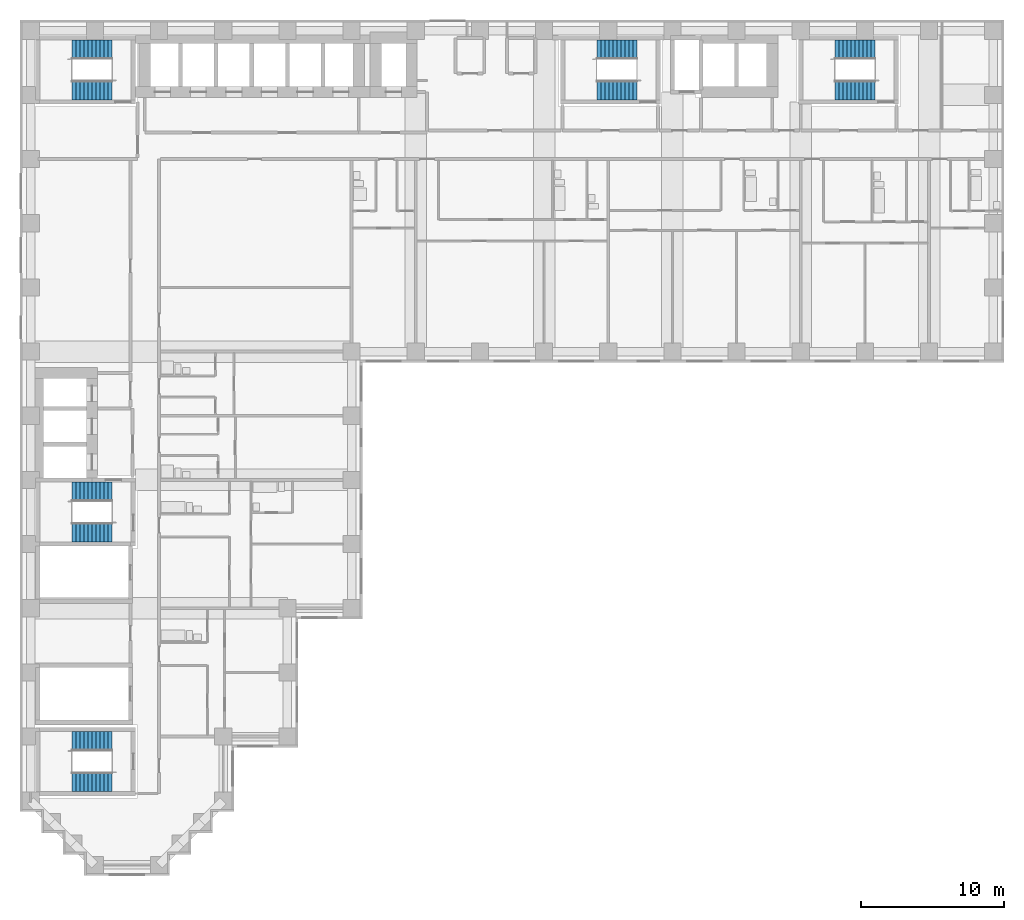
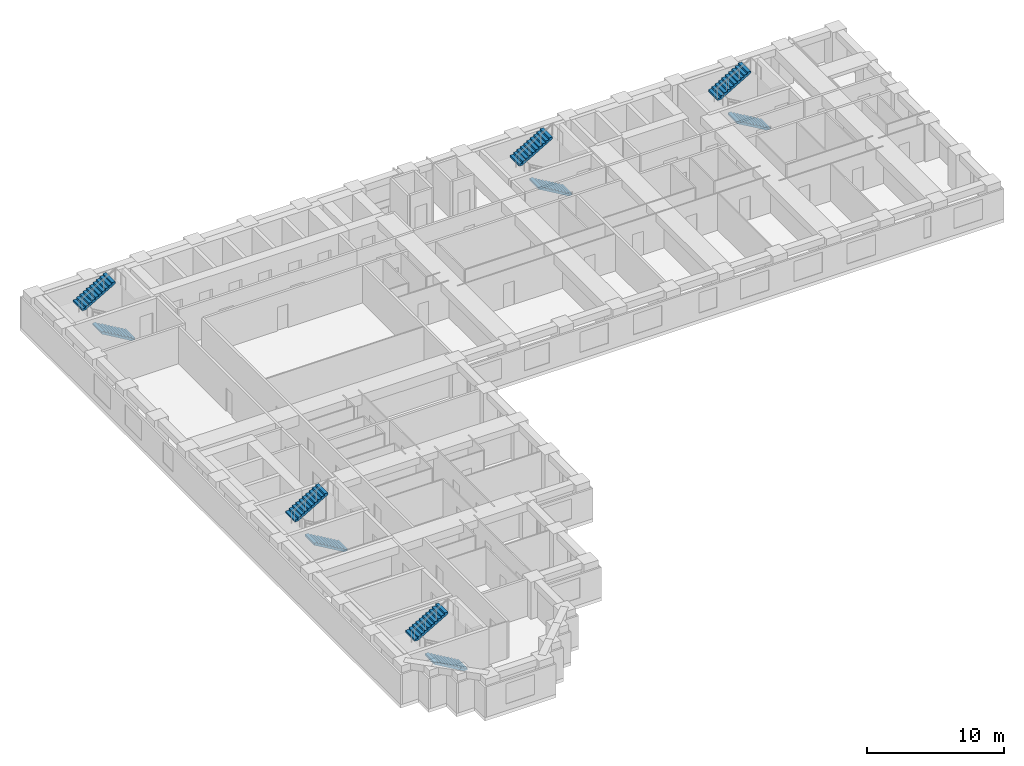
# One storey, part 9 of 11: 10 stair flights, 5 elements without a shape of their own.
"""IFC4 building model written with IfcOpenShell, lengths in metres."""

import ifcopenshell
import ifcopenshell.guid

model = None  # the IFC model being written
_history = None  # IfcOwnerHistory: only IFC2X3 demands one
_inside = {}  # id of a spatial element -> (the spatial element, [elements in it])
_under = {}  # id of a project, library or spatial element -> (it, [spatial elements below it])
_declared = {}  # id of a project -> (the project, [libraries it declares])
_typed = {}  # id of a type object -> (the type object, [elements of that type])
_made_of = {}  # id of a material, layer set ... -> (it, [elements and type objects made of it])


def new_model(schema):
    """Start an empty IFC model of exactly this schema.

    Asked for "IFC4X3", IfcOpenShell would pick the latest addendum, in which some entities
    have other attributes; the version numbers below select the first issue.
    IFC2X3 requires an IfcOwnerHistory on every rooted entity: one is made here for all.
    """
    global model, _history
    if schema == "IFC4X3":
        model = ifcopenshell.file(schema_version=(4, 3, 0, 0))
    else:
        model = ifcopenshell.file(schema=schema)
    _inside.clear()
    _under.clear()
    _declared.clear()
    _typed.clear()
    _made_of.clear()
    _history = None
    if model.schema == "IFC2X3":
        org = make("IfcOrganization", Name="unknown")
        user = make(
            "IfcPersonAndOrganization",
            ThePerson=make("IfcPerson", FamilyName="unknown"),
            TheOrganization=org,
        )
        app = make(
            "IfcApplication",
            ApplicationDeveloper=org,
            Version="unknown",
            ApplicationFullName="unknown",
            ApplicationIdentifier="unknown",
        )
        _history = make(
            "IfcOwnerHistory",
            OwningUser=user,
            OwningApplication=app,
            ChangeAction="ADDED",
            CreationDate=0,
        )
    return model


def make(cls, **values):
    """One entity of the class cls with the attributes given. An attribute that is None is left unset."""
    return model.create_entity(
        cls, **{name: value for name, value in values.items() if value is not None}
    )


def rooted(cls, **values):
    """An entity with a GlobalId (a new one), such as an element, a storey or a relation."""
    return make(cls, GlobalId=ifcopenshell.guid.new(), OwnerHistory=_history, **values)


def si_unit(unit_type, name, prefix=None):
    """IfcSIUnit, for example si_unit("LENGTHUNIT", "METRE", prefix="MILLI")."""
    return make("IfcSIUnit", UnitType=unit_type, Prefix=prefix, Name=name)


def assignment(units):
    """IfcUnitAssignment: the units of a project."""
    return None if units is None else make("IfcUnitAssignment", Units=units)


def point(xyz):
    """IfcCartesianPoint."""
    return None if xyz is None else make("IfcCartesianPoint", Coordinates=xyz)


def direction(xyz):
    """IfcDirection."""
    return None if xyz is None else make("IfcDirection", DirectionRatios=xyz)


def frame(location, z_axis=None, x_axis=None):
    """IfcAxis2Placement3D, a coordinate frame: its origin and axes. An axis left out is left unset."""
    return make(
        "IfcAxis2Placement3D",
        Location=point(location),
        Axis=direction(z_axis),
        RefDirection=direction(x_axis),
    )


def origin():
    """The frame at (0, 0, 0) with its axes left unset."""
    return frame((0.0, 0.0, 0.0))


def place(relative_to, where):
    """IfcLocalPlacement: puts the frame where relative to a parent placement (None: the world)."""
    return make(
        "IfcLocalPlacement", PlacementRelTo=relative_to, RelativePlacement=where
    )


def context(
    kind, dimensions, precision=None, world=None, true_north=None, identifier=None
):
    """IfcGeometricRepresentationContext, for example the 3D "Model" context."""
    return make(
        "IfcGeometricRepresentationContext",
        ContextIdentifier=identifier,
        ContextType=kind,
        CoordinateSpaceDimension=dimensions,
        Precision=precision,
        WorldCoordinateSystem=world,
        TrueNorth=true_north,
    )


def subcontext(parent, identifier, kind, view, scale=None):
    """IfcGeometricRepresentationSubContext, for example "Body" below "Model"."""
    return make(
        "IfcGeometricRepresentationSubContext",
        ContextIdentifier=identifier,
        ContextType=kind,
        ParentContext=parent,
        TargetScale=scale,
        TargetView=view,
    )


def project(units=None, contexts=None):
    """IfcProject with its units and contexts."""
    return rooted(
        "IfcProject",
        Name="project",
        RepresentationContexts=contexts,
        UnitsInContext=assignment(units),
    )


def spatial(cls, under=None, at=None, **own):
    """A site, building, storey or space (cls), placed at a placement, below another one or the project."""
    s = rooted(cls, ObjectPlacement=at, **own)
    if under is not None:
        _under.setdefault(under.id(), (under, []))[1].append(s)
    return s


def polyline(points):
    """IfcPolyline through the points."""
    return make("IfcPolyline", Points=[point(p) for p in points])


def outline(outer, holes=None, kind="AREA"):
    """IfcArbitraryClosedProfileDef: a profile drawn as a closed curve; with holes, ...WithVoids."""
    if holes is None:
        return make("IfcArbitraryClosedProfileDef", ProfileType=kind, OuterCurve=outer)
    return make(
        "IfcArbitraryProfileDefWithVoids",
        ProfileType=kind,
        OuterCurve=outer,
        InnerCurves=holes,
    )


def extrude(swept, where, along, depth):
    """IfcExtrudedAreaSolid: the profile swept, set in the frame where, extruded along a direction by depth."""
    return make(
        "IfcExtrudedAreaSolid",
        SweptArea=swept,
        Position=where,
        ExtrudedDirection=direction(along),
        Depth=depth,
    )


def shape(context_of_items, identifier, shape_type, items):
    """IfcShapeRepresentation: the items that make up one representation, for example the "Body"."""
    return make(
        "IfcShapeRepresentation",
        ContextOfItems=context_of_items,
        RepresentationIdentifier=identifier,
        RepresentationType=shape_type,
        Items=items,
    )


def material(Name=None, Category=None):
    """IfcMaterial."""
    return make("IfcMaterial", Name=Name, Category=Category)


def made_of(thing, what):
    """Note that an element or type object is made of a material, layer set ...; save() writes the relation."""
    if what is not None:
        _made_of.setdefault(what.id(), (what, []))[1].append(thing)
    return thing


def type_object(cls, material=None, **own):
    """A type object (cls), such as IfcWallType, which elements share."""
    return made_of(rooted(cls, **own), material)


def element(
    cls,
    number,
    at=None,
    inside=None,
    cuts=None,
    type_object=None,
    material=None,
    context=None,
    identifier="Body",
    shape_type=None,
    held_by="IfcProductDefinitionShape",
    body=None,
    shapes=None,
    **own,
):
    """One element of the class cls, such as IfcWall. Its Tag is "e" and its number.

    at: its placement. inside: the storey or other place that contains it. cuts: it is an
    opening in that element (IfcRelVoidsElement). A single representation is given by context,
    identifier, shape_type and body (its items); several are given by shapes. held_by: the class
    of the entity that holds the representations. save() writes the other relations.
    """
    e = rooted(cls, Tag="e%d" % number, ObjectPlacement=at, **own)
    if body is not None:
        shapes = [shape(context, identifier, shape_type, body)]
    if shapes is not None:
        e.Representation = make(held_by, Representations=shapes)
    if inside is not None:
        _inside.setdefault(inside.id(), (inside, []))[1].append(e)
    if cuts is not None:
        rooted(
            "IfcRelVoidsElement", RelatingBuildingElement=cuts, RelatedOpeningElement=e
        )
    if type_object is not None:
        _typed.setdefault(type_object.id(), (type_object, []))[1].append(e)
    return made_of(e, material)


def aggregate(whole, parts):
    """IfcRelAggregates: a whole, such as a stair, and the parts it consists of."""
    return rooted("IfcRelAggregates", RelatingObject=whole, RelatedObjects=parts)


def save(model, path):
    """Write the relations noted so far, then the file.

    IfcRelAggregates (storeys below a building ...), IfcRelContainedInSpatialStructure (elements
    in a storey), IfcRelDefinesByType, IfcRelAssociatesMaterial and IfcRelDeclares: one each for
    every whole, place, type object, material and project.
    """
    for whole, parts in _under.values():
        aggregate(whole, parts)
    for where, things in _inside.values():
        rooted(
            "IfcRelContainedInSpatialStructure",
            RelatedElements=things,
            RelatingStructure=where,
        )
    for kind, things in _typed.values():
        rooted("IfcRelDefinesByType", RelatedObjects=things, RelatingType=kind)
    for what, things in _made_of.values():
        rooted("IfcRelAssociatesMaterial", RelatedObjects=things, RelatingMaterial=what)
    for by, libraries in _declared.values():
        rooted("IfcRelDeclares", RelatingContext=by, RelatedDefinitions=libraries)
    model.write(path)


model = new_model("IFC4")

# Units and contexts
model_context = context("Model", 3, precision=1e-05, world=origin(), true_north=direction((0.0, 1.0)))
body_context = subcontext(model_context, "Body", "Model", "MODEL_VIEW")
ifc_project = project(units=[si_unit("LENGTHUNIT", "METRE"), si_unit("AREAUNIT", "SQUARE_METRE"), si_unit("VOLUMEUNIT", "CUBIC_METRE"), si_unit("PLANEANGLEUNIT", "RADIAN"), si_unit("MASSUNIT", "GRAM", prefix="KILO")], contexts=[model_context])

# Site, building, storey
site_placement = place(None, origin())
site = spatial("IfcSite", under=ifc_project, at=site_placement, CompositionType="ELEMENT")
building_placement = place(site_placement, origin())
building = spatial("IfcBuilding", under=site, at=building_placement, Name="Firuza Court", CompositionType="ELEMENT")
storey_placement = place(building_placement, frame((0.0, 0.0, 61.39990234375)))
storey = spatial("IfcBuildingStorey", under=building, at=storey_placement, Name="L14", CompositionType="ELEMENT", Elevation=61.39990234375)

# Stair, stair flights
ifc_material_1 = material(Name="Concrete C40/50 precast", Category="concrete")
stair_type = type_object("IfcStairType", Name="Stair 1350 x 3600 2 flights", PredefinedType="HALF_TURN_STAIR", material=ifc_material_1)
stair_1_placement = place(storey_placement, origin())
stair_1 = element("IfcStair", 1, at=stair_1_placement, inside=storey, type_object=stair_type, Name="Stair 1 L14", PredefinedType="HALF_TURN_STAIR")
ifc_material_2 = material(Name="Concrete C40/50 precast", Category="concrete")
stair_flight_type = type_object("IfcStairFlightType", Name="Flight 1350 riser 163.6", PredefinedType="STRAIGHT", material=ifc_material_2)
stair_flight_1_placement = place(storey_placement, frame((42.5, 54.324951171875, 0.0), z_axis=(0.0, 0.0, 1.0), x_axis=(-1.0, 0.0, 0.0)))
stair_flight_1 = element("IfcStairFlight", 2, at=stair_flight_1_placement, type_object=stair_flight_type, Name="S1 flight 1", NumberOfRisers=11, NumberOfTreads=10, PredefinedType="STRAIGHT", RiserHeight=0.163636364, TreadLength=0.28, context=body_context, shape_type="SweptSolid", body=[
    extrude(outline(polyline([(0.0, 0.0), (0.0, 0.16357421875), (0.280029296875, 0.16357421875), (0.280029296875, 0.327392578125), (0.56005859375, 0.327392578125), (0.56005859375, 0.490966796875), (0.840087890625, 0.490966796875), (0.840087890625, 0.654541015625), (1.1201171875, 0.654541015625), (1.1201171875, 0.818115234375), (1.39990234375, 0.818115234375), (1.39990234375, 0.98193359375), (1.679931640625, 0.98193359375), (1.679931640625, 1.1455078125), (1.9599609375, 1.1455078125), (1.9599609375, 1.30908203125), (2.239990234375, 1.30908203125), (2.239990234375, 1.47265625), (2.52001953125, 1.47265625), (2.52001953125, 1.636474609375), (2.800048828125, 1.636474609375), (2.800048828125, 1.800048828125), (2.800048828125, 1.462646484375), (0.297119140625, 0.0), (0.0, 0.0)])), frame((0.0, 0.675048828125, 0.0), z_axis=(0.0, -1.0, 0.0), x_axis=(1.0, 0.0, 0.0)), (0.0, 0.0, 1.0), 1.35009765625),
])
stair_flight_2_placement = place(storey_placement, frame((39.699951171875, 57.175048828125, 1.800048828125), z_axis=(0.0, 0.0, 1.0), x_axis=(1.0, 0.0, 0.0)))
stair_flight_2 = element("IfcStairFlight", 3, at=stair_flight_2_placement, type_object=stair_flight_type, Name="S1 flight 2", NumberOfRisers=11, NumberOfTreads=10, PredefinedType="STRAIGHT", RiserHeight=0.163636364, TreadLength=0.28, context=body_context, shape_type="SweptSolid", body=[
    extrude(outline(polyline([(0.0, 0.0), (0.0, 0.16357421875), (0.280029296875, 0.16357421875), (0.280029296875, 0.327392578125), (0.56005859375, 0.327392578125), (0.56005859375, 0.490966796875), (0.840087890625, 0.490966796875), (0.840087890625, 0.654541015625), (1.1201171875, 0.654541015625), (1.1201171875, 0.818115234375), (1.39990234375, 0.818115234375), (1.39990234375, 0.98193359375), (1.679931640625, 0.98193359375), (1.679931640625, 1.1455078125), (1.9599609375, 1.1455078125), (1.9599609375, 1.30908203125), (2.239990234375, 1.30908203125), (2.239990234375, 1.47265625), (2.52001953125, 1.47265625), (2.52001953125, 1.636474609375), (2.800048828125, 1.636474609375), (2.800048828125, 1.800048828125), (2.800048828125, 1.462646484375), (0.297119140625, 0.0), (0.0, 0.0)])), frame((0.0, 0.675048828125, 0.0), z_axis=(0.0, -1.0, 0.0), x_axis=(1.0, 0.0, 0.0)), (0.0, 0.0, 1.0), 1.35009765625),
])
aggregate(stair_1, [stair_flight_1, stair_flight_2])

stair_2_placement = place(storey_placement, origin())
stair_2 = element("IfcStair", 4, at=stair_2_placement, inside=storey, type_object=stair_type, Name="Stair 2 L14", PredefinedType="HALF_TURN_STAIR")
stair_flight_3_placement = place(storey_placement, frame((5.699951171875, 23.324951171875, 0.0), z_axis=(0.0, 0.0, 1.0), x_axis=(-1.0, 0.0, 0.0)))
stair_flight_3 = element("IfcStairFlight", 5, at=stair_flight_3_placement, type_object=stair_flight_type, Name="S2 flight 1", NumberOfRisers=11, NumberOfTreads=10, PredefinedType="STRAIGHT", RiserHeight=0.163636364, TreadLength=0.28, context=body_context, shape_type="SweptSolid", body=[
    extrude(outline(polyline([(0.0, 0.0), (0.0, 0.16357421875), (0.280029296875, 0.16357421875), (0.280029296875, 0.327392578125), (0.56005859375, 0.327392578125), (0.56005859375, 0.490966796875), (0.840087890625, 0.490966796875), (0.840087890625, 0.654541015625), (1.1201171875, 0.654541015625), (1.1201171875, 0.818115234375), (1.39990234375, 0.818115234375), (1.39990234375, 0.98193359375), (1.679931640625, 0.98193359375), (1.679931640625, 1.1455078125), (1.9599609375, 1.1455078125), (1.9599609375, 1.30908203125), (2.239990234375, 1.30908203125), (2.239990234375, 1.47265625), (2.52001953125, 1.47265625), (2.52001953125, 1.636474609375), (2.800048828125, 1.636474609375), (2.800048828125, 1.800048828125), (2.800048828125, 1.462646484375), (0.297119140625, 0.0), (0.0, 0.0)])), frame((0.0, 0.675048828125, 0.0), z_axis=(0.0, -1.0, 0.0), x_axis=(1.0, 0.0, 0.0)), (0.0, 0.0, 1.0), 1.35009765625),
])
stair_flight_4_placement = place(storey_placement, frame((2.89990234375, 26.175048828125, 1.800048828125), z_axis=(0.0, 0.0, 1.0), x_axis=(1.0, 0.0, 0.0)))
stair_flight_4 = element("IfcStairFlight", 6, at=stair_flight_4_placement, type_object=stair_flight_type, Name="S2 flight 2", NumberOfRisers=11, NumberOfTreads=10, PredefinedType="STRAIGHT", RiserHeight=0.163636364, TreadLength=0.28, context=body_context, shape_type="SweptSolid", body=[
    extrude(outline(polyline([(0.0, 0.0), (0.0, 0.16357421875), (0.280029296875, 0.16357421875), (0.280029296875, 0.327392578125), (0.56005859375, 0.327392578125), (0.56005859375, 0.490966796875), (0.840087890625, 0.490966796875), (0.840087890625, 0.654541015625), (1.1201171875, 0.654541015625), (1.1201171875, 0.818115234375), (1.39990234375, 0.818115234375), (1.39990234375, 0.98193359375), (1.679931640625, 0.98193359375), (1.679931640625, 1.1455078125), (1.9599609375, 1.1455078125), (1.9599609375, 1.30908203125), (2.239990234375, 1.30908203125), (2.239990234375, 1.47265625), (2.52001953125, 1.47265625), (2.52001953125, 1.636474609375), (2.800048828125, 1.636474609375), (2.800048828125, 1.800048828125), (2.800048828125, 1.462646484375), (0.297119140625, 0.0), (0.0, 0.0)])), frame((0.0, 0.675048828125, 0.0), z_axis=(0.0, -1.0, 0.0), x_axis=(1.0, 0.0, 0.0)), (0.0, 0.0, 1.0), 1.35009765625),
])
aggregate(stair_2, [stair_flight_3, stair_flight_4])

stair_3_placement = place(storey_placement, origin())
stair_3 = element("IfcStair", 7, at=stair_3_placement, inside=storey, type_object=stair_type, Name="Stair 3 L14", PredefinedType="HALF_TURN_STAIR")
stair_flight_5_placement = place(storey_placement, frame((5.699951171875, 54.324951171875, 0.0), z_axis=(0.0, 0.0, 1.0), x_axis=(-1.0, 0.0, 0.0)))
stair_flight_5 = element("IfcStairFlight", 8, at=stair_flight_5_placement, type_object=stair_flight_type, Name="S3 flight 1", NumberOfRisers=11, NumberOfTreads=10, PredefinedType="STRAIGHT", RiserHeight=0.163636364, TreadLength=0.28, context=body_context, shape_type="SweptSolid", body=[
    extrude(outline(polyline([(0.0, 0.0), (0.0, 0.16357421875), (0.280029296875, 0.16357421875), (0.280029296875, 0.327392578125), (0.56005859375, 0.327392578125), (0.56005859375, 0.490966796875), (0.840087890625, 0.490966796875), (0.840087890625, 0.654541015625), (1.1201171875, 0.654541015625), (1.1201171875, 0.818115234375), (1.39990234375, 0.818115234375), (1.39990234375, 0.98193359375), (1.679931640625, 0.98193359375), (1.679931640625, 1.1455078125), (1.9599609375, 1.1455078125), (1.9599609375, 1.30908203125), (2.239990234375, 1.30908203125), (2.239990234375, 1.47265625), (2.52001953125, 1.47265625), (2.52001953125, 1.636474609375), (2.800048828125, 1.636474609375), (2.800048828125, 1.800048828125), (2.800048828125, 1.462646484375), (0.297119140625, 0.0), (0.0, 0.0)])), frame((0.0, 0.675048828125, 0.0), z_axis=(0.0, -1.0, 0.0), x_axis=(1.0, 0.0, 0.0)), (0.0, 0.0, 1.0), 1.35009765625),
])
stair_flight_6_placement = place(storey_placement, frame((2.89990234375, 57.175048828125, 1.800048828125), z_axis=(0.0, 0.0, 1.0), x_axis=(1.0, 0.0, 0.0)))
stair_flight_6 = element("IfcStairFlight", 9, at=stair_flight_6_placement, type_object=stair_flight_type, Name="S3 flight 2", NumberOfRisers=11, NumberOfTreads=10, PredefinedType="STRAIGHT", RiserHeight=0.163636364, TreadLength=0.28, context=body_context, shape_type="SweptSolid", body=[
    extrude(outline(polyline([(0.0, 0.0), (0.0, 0.16357421875), (0.280029296875, 0.16357421875), (0.280029296875, 0.327392578125), (0.56005859375, 0.327392578125), (0.56005859375, 0.490966796875), (0.840087890625, 0.490966796875), (0.840087890625, 0.654541015625), (1.1201171875, 0.654541015625), (1.1201171875, 0.818115234375), (1.39990234375, 0.818115234375), (1.39990234375, 0.98193359375), (1.679931640625, 0.98193359375), (1.679931640625, 1.1455078125), (1.9599609375, 1.1455078125), (1.9599609375, 1.30908203125), (2.239990234375, 1.30908203125), (2.239990234375, 1.47265625), (2.52001953125, 1.47265625), (2.52001953125, 1.636474609375), (2.800048828125, 1.636474609375), (2.800048828125, 1.800048828125), (2.800048828125, 1.462646484375), (0.297119140625, 0.0), (0.0, 0.0)])), frame((0.0, 0.675048828125, 0.0), z_axis=(0.0, -1.0, 0.0), x_axis=(1.0, 0.0, 0.0)), (0.0, 0.0, 1.0), 1.35009765625),
])
aggregate(stair_3, [stair_flight_5, stair_flight_6])

stair_4_placement = place(storey_placement, origin())
stair_4 = element("IfcStair", 10, at=stair_4_placement, inside=storey, type_object=stair_type, Name="Stair 4 L14", PredefinedType="HALF_TURN_STAIR")
stair_flight_7_placement = place(storey_placement, frame((59.199951171875, 54.324951171875, 0.0), z_axis=(0.0, 0.0, 1.0), x_axis=(-1.0, 0.0, 0.0)))
stair_flight_7 = element("IfcStairFlight", 11, at=stair_flight_7_placement, type_object=stair_flight_type, Name="S4 flight 1", NumberOfRisers=11, NumberOfTreads=10, PredefinedType="STRAIGHT", RiserHeight=0.163636364, TreadLength=0.28, context=body_context, shape_type="SweptSolid", body=[
    extrude(outline(polyline([(0.0, 0.0), (0.0, 0.16357421875), (0.280029296875, 0.16357421875), (0.280029296875, 0.327392578125), (0.56005859375, 0.327392578125), (0.56005859375, 0.490966796875), (0.840087890625, 0.490966796875), (0.840087890625, 0.654541015625), (1.1201171875, 0.654541015625), (1.1201171875, 0.818115234375), (1.39990234375, 0.818115234375), (1.39990234375, 0.98193359375), (1.679931640625, 0.98193359375), (1.679931640625, 1.1455078125), (1.9599609375, 1.1455078125), (1.9599609375, 1.30908203125), (2.239990234375, 1.30908203125), (2.239990234375, 1.47265625), (2.52001953125, 1.47265625), (2.52001953125, 1.636474609375), (2.800048828125, 1.636474609375), (2.800048828125, 1.800048828125), (2.800048828125, 1.462646484375), (0.297119140625, 0.0), (0.0, 0.0)])), frame((0.0, 0.675048828125, 0.0), z_axis=(0.0, -1.0, 0.0), x_axis=(1.0, 0.0, 0.0)), (0.0, 0.0, 1.0), 1.35009765625),
])
stair_flight_8_placement = place(storey_placement, frame((56.39990234375, 57.175048828125, 1.800048828125), z_axis=(0.0, 0.0, 1.0), x_axis=(1.0, 0.0, 0.0)))
stair_flight_8 = element("IfcStairFlight", 12, at=stair_flight_8_placement, type_object=stair_flight_type, Name="S4 flight 2", NumberOfRisers=11, NumberOfTreads=10, PredefinedType="STRAIGHT", RiserHeight=0.163636364, TreadLength=0.28, context=body_context, shape_type="SweptSolid", body=[
    extrude(outline(polyline([(0.0, 0.0), (0.0, 0.16357421875), (0.280029296875, 0.16357421875), (0.280029296875, 0.327392578125), (0.56005859375, 0.327392578125), (0.56005859375, 0.490966796875), (0.840087890625, 0.490966796875), (0.840087890625, 0.654541015625), (1.1201171875, 0.654541015625), (1.1201171875, 0.818115234375), (1.39990234375, 0.818115234375), (1.39990234375, 0.98193359375), (1.679931640625, 0.98193359375), (1.679931640625, 1.1455078125), (1.9599609375, 1.1455078125), (1.9599609375, 1.30908203125), (2.239990234375, 1.30908203125), (2.239990234375, 1.47265625), (2.52001953125, 1.47265625), (2.52001953125, 1.636474609375), (2.800048828125, 1.636474609375), (2.800048828125, 1.800048828125), (2.800048828125, 1.462646484375), (0.297119140625, 0.0), (0.0, 0.0)])), frame((0.0, 0.675048828125, 0.0), z_axis=(0.0, -1.0, 0.0), x_axis=(1.0, 0.0, 0.0)), (0.0, 0.0, 1.0), 1.35009765625),
])
aggregate(stair_4, [stair_flight_7, stair_flight_8])

stair_5_placement = place(storey_placement, origin())
stair_5 = element("IfcStair", 13, at=stair_5_placement, inside=storey, type_object=stair_type, Name="Stair 5 L14", PredefinedType="HALF_TURN_STAIR")
stair_flight_9_placement = place(storey_placement, frame((5.699951171875, 5.824951171875, 0.0), z_axis=(0.0, 0.0, 1.0), x_axis=(-1.0, 0.0, 0.0)))
stair_flight_9 = element("IfcStairFlight", 14, at=stair_flight_9_placement, type_object=stair_flight_type, Name="S5 flight 1", NumberOfRisers=11, NumberOfTreads=10, PredefinedType="STRAIGHT", RiserHeight=0.163636364, TreadLength=0.28, context=body_context, shape_type="SweptSolid", body=[
    extrude(outline(polyline([(0.0, 0.0), (0.0, 0.16357421875), (0.280029296875, 0.16357421875), (0.280029296875, 0.327392578125), (0.56005859375, 0.327392578125), (0.56005859375, 0.490966796875), (0.840087890625, 0.490966796875), (0.840087890625, 0.654541015625), (1.1201171875, 0.654541015625), (1.1201171875, 0.818115234375), (1.39990234375, 0.818115234375), (1.39990234375, 0.98193359375), (1.679931640625, 0.98193359375), (1.679931640625, 1.1455078125), (1.9599609375, 1.1455078125), (1.9599609375, 1.30908203125), (2.239990234375, 1.30908203125), (2.239990234375, 1.47265625), (2.52001953125, 1.47265625), (2.52001953125, 1.636474609375), (2.800048828125, 1.636474609375), (2.800048828125, 1.800048828125), (2.800048828125, 1.462646484375), (0.297119140625, 0.0), (0.0, 0.0)])), frame((0.0, 0.675048828125, 0.0), z_axis=(0.0, -1.0, 0.0), x_axis=(1.0, 0.0, 0.0)), (0.0, 0.0, 1.0), 1.35009765625),
])
stair_flight_10_placement = place(storey_placement, frame((2.89990234375, 8.675048828125, 1.800048828125), z_axis=(0.0, 0.0, 1.0), x_axis=(1.0, 0.0, 0.0)))
stair_flight_10 = element("IfcStairFlight", 15, at=stair_flight_10_placement, type_object=stair_flight_type, Name="S5 flight 2", NumberOfRisers=11, NumberOfTreads=10, PredefinedType="STRAIGHT", RiserHeight=0.163636364, TreadLength=0.28, context=body_context, shape_type="SweptSolid", body=[
    extrude(outline(polyline([(0.0, 0.0), (0.0, 0.16357421875), (0.280029296875, 0.16357421875), (0.280029296875, 0.327392578125), (0.56005859375, 0.327392578125), (0.56005859375, 0.490966796875), (0.840087890625, 0.490966796875), (0.840087890625, 0.654541015625), (1.1201171875, 0.654541015625), (1.1201171875, 0.818115234375), (1.39990234375, 0.818115234375), (1.39990234375, 0.98193359375), (1.679931640625, 0.98193359375), (1.679931640625, 1.1455078125), (1.9599609375, 1.1455078125), (1.9599609375, 1.30908203125), (2.239990234375, 1.30908203125), (2.239990234375, 1.47265625), (2.52001953125, 1.47265625), (2.52001953125, 1.636474609375), (2.800048828125, 1.636474609375), (2.800048828125, 1.800048828125), (2.800048828125, 1.462646484375), (0.297119140625, 0.0), (0.0, 0.0)])), frame((0.0, 0.675048828125, 0.0), z_axis=(0.0, -1.0, 0.0), x_axis=(1.0, 0.0, 0.0)), (0.0, 0.0, 1.0), 1.35009765625),
])
aggregate(stair_5, [stair_flight_9, stair_flight_10])

save(model, "model.ifc")
